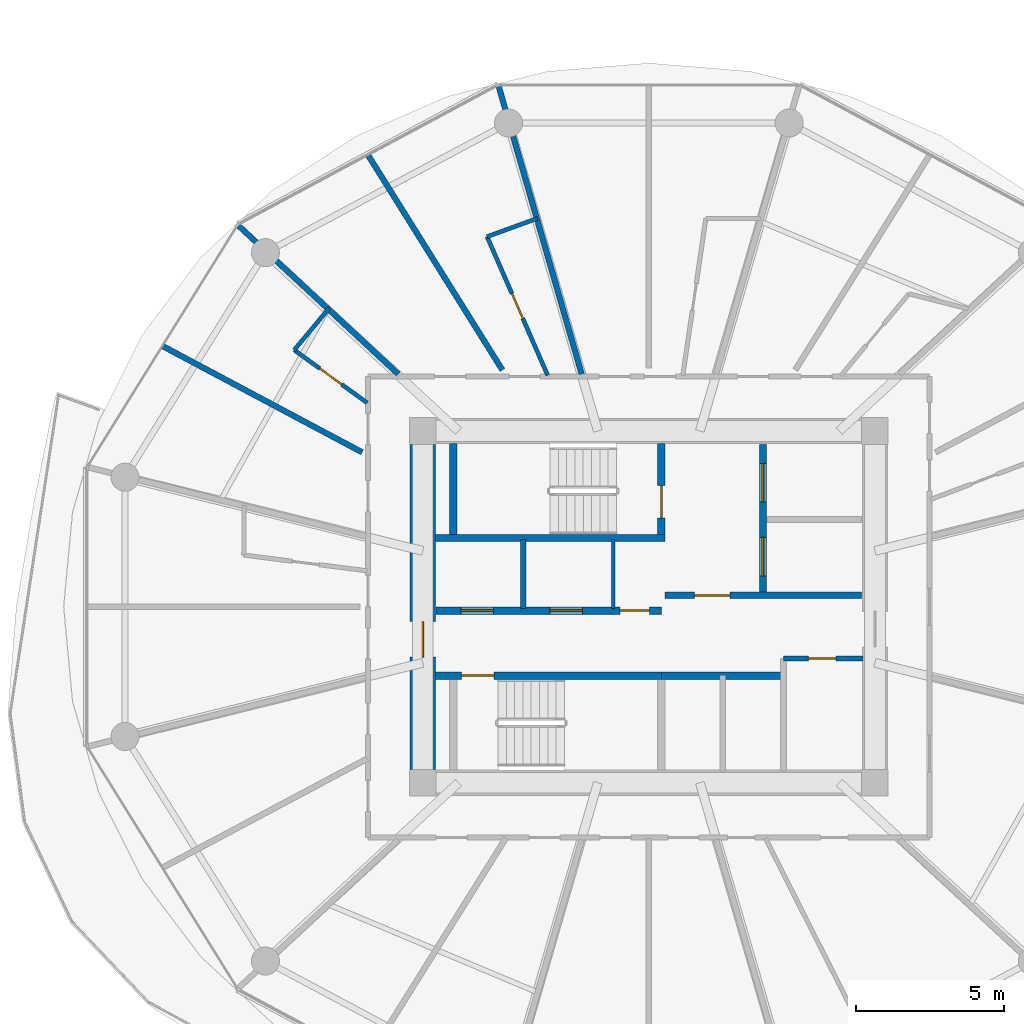
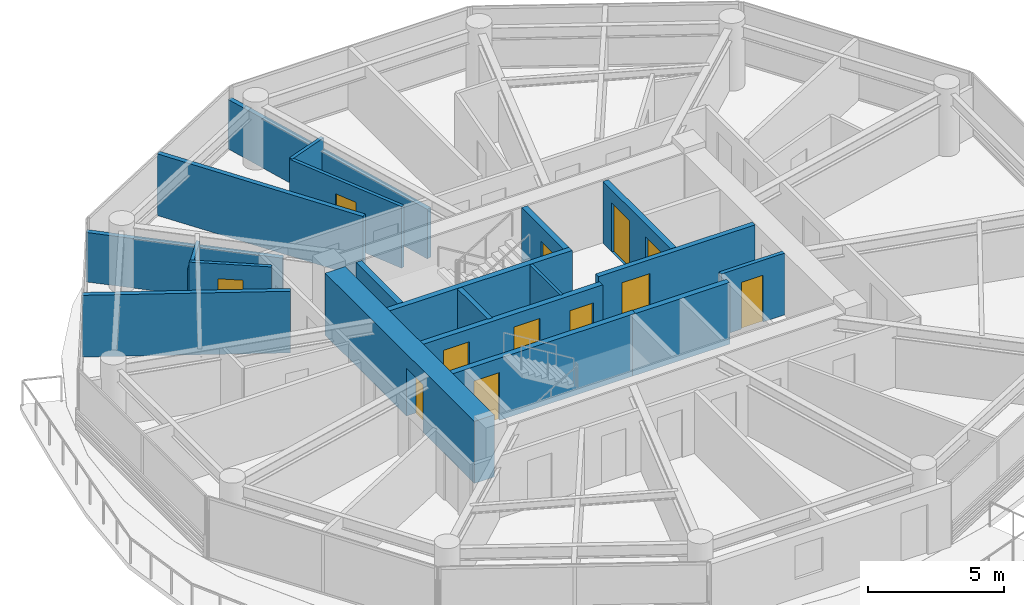
# One storey, part 16 of 27: 20 walls, 12 doors, 12 openings.
"""IFC4 building model written with IfcOpenShell, lengths in metres."""

from ifc_helpers import new_model, si_unit, direction, frame, frame_2d, origin, place, context, subcontext, project, spatial, rectangle, extrude, source, transform, mapped, material, layer, layer_set, type_object, type_shapes, element, fill, save


model = new_model("IFC4")

# Units and contexts
model_context = context("Model", 3, precision=1e-05, world=origin(), true_north=direction((0.0, 1.0)))
body_context = subcontext(model_context, "Body", "Model", "MODEL_VIEW")
ifc_project = project(units=[si_unit("LENGTHUNIT", "METRE"), si_unit("AREAUNIT", "SQUARE_METRE"), si_unit("VOLUMEUNIT", "CUBIC_METRE"), si_unit("PLANEANGLEUNIT", "RADIAN"), si_unit("MASSUNIT", "GRAM", prefix="KILO")], contexts=[model_context])

# Site, building, storey
site_placement = place(None, origin())
site = spatial("IfcSite", under=ifc_project, at=site_placement, CompositionType="ELEMENT")
building_placement = place(site_placement, origin())
building = spatial("IfcBuilding", under=site, at=building_placement, Name="Norrkilde Senior Care Towers", CompositionType="ELEMENT")
storey_placement = place(building_placement, frame((0.0, 0.0, 46.0)))
storey = spatial("IfcBuildingStorey", under=building, at=storey_placement, Name="L13", CompositionType="ELEMENT", Elevation=46.0)

# Wall, opening, door
ifc_material_1 = material(Name="Concrete C60/75", Category="concrete")
ifc_layer_1 = layer(ifc_material_1, 0.85009765625)
ifc_layer_set_1 = layer_set([ifc_layer_1], Name="Concrete C60/75")
wall_type_1 = type_object("IfcWallType", Name="Core Shear Wall Z1 850", PredefinedType="SHEAR", material=ifc_layer_set_1)
shared_shape_1 = source(origin(), body_context, "Body", "SweptSolid", [
    extrude(rectangle(XDim=11.0, YDim=0.85009765625, at=frame_2d((5.5, 0.0))), origin(), (0.0, 0.0, 1.0), 2.7900390625),
])
type_shapes(wall_type_1, [shared_shape_1])
wall_1_placement = place(storey_placement, frame((-35.64990234375, -5.5, 0.0), z_axis=(0.0, 0.0, 1.0), x_axis=(0.0, 1.0, 0.0)))
wall_1 = element("IfcWall", 1, at=wall_1_placement, inside=storey, type_object=wall_type_1, Name="L13 Core W West Shear Wall", PredefinedType="SHEAR", context=body_context, shape_type="MappedRepresentation", body=[
    mapped(shared_shape_1, transform((0.0, 0.0, 0.0), x_axis=(1.0, 0.0, 0.0), y_axis=(0.0, 1.0, 0.0), z_axis=(0.0, 0.0, 1.0), scale=1.0)),
])
opening_1_placement = place(wall_1_placement, frame((3.800048828125, 0.0, 0.0)))
opening_1 = element("IfcOpeningElement", 2, at=opening_1_placement, cuts=wall_1, Name="Opening D-04", PredefinedType="OPENING", context=body_context, shape_type="SweptSolid", body=[
    extrude(rectangle(XDim=1.199951171875, YDim=2.14990234375, at=frame_2d((0.60009765625, 1.074951171875))), frame((0.0, 0.43505859375, 0.0), z_axis=(0.0, -1.0, 0.0), x_axis=(1.0, 0.0, 0.0)), (0.0, 0.0, 1.0), 0.8701171875),
])
ifc_material_2 = material(Name="Galvanised Painted Steel", Category="steel")
door_type_1 = type_object("IfcDoorType", Name="Firefighting Lobby Fire Door 1200x2150", OperationType="NOTDEFINED", PredefinedType="DOOR", material=ifc_material_2)
shared_shape_2 = source(origin(), body_context, "Body", "SweptSolid", [
    extrude(rectangle(XDim=1.199951171875, YDim=2.14990234375, at=frame_2d((0.60009765625, 1.074951171875))), frame((0.0, 0.02490234375, 0.0), z_axis=(0.0, -1.0, 0.0), x_axis=(1.0, 0.0, 0.0)), (0.0, 0.0, 1.0), 0.050048828125),
])
type_shapes(door_type_1, [shared_shape_2])
door_1_placement = place(opening_1_placement, frame((1.199951171875, 0.0, 0.0), z_axis=(0.0, 0.0, 1.0), x_axis=(-1.0, 0.0, 0.0)))
door_1 = element("IfcDoor", 3, at=door_1_placement, inside=storey, type_object=door_type_1, Name="L13 Core W West Portal Door", OperationType="SINGLE_SWING_LEFT", OverallHeight=2.14990234375, OverallWidth=1.199951171875, PredefinedType="DOOR", context=body_context, shape_type="MappedRepresentation", body=[
    mapped(shared_shape_2, transform((0.0, 0.0, 0.0), x_axis=(1.0, 0.0, 0.0), y_axis=(0.0, 1.0, 0.0), z_axis=(0.0, 0.0, 1.0), scale=1.0)),
])
fill(opening_1, door_1)

# Wall, openings, doors
ifc_material_3 = material(Name="Concrete C45/55", Category="concrete")
ifc_layer_2 = layer(ifc_material_3, 0.239990234375)
ifc_layer_set_2 = layer_set([ifc_layer_2], Name="Concrete C45/55")
wall_type_2 = type_object("IfcWallType", Name="Lift and Plant Rated Enclosure Partition 240", PredefinedType="PARTITIONING", material=ifc_layer_set_2)
shared_shape_3 = source(origin(), body_context, "Body", "SweptSolid", [
    extrude(rectangle(XDim=5.0, YDim=0.239990234375, at=frame_2d((2.5, 0.0))), origin(), (0.0, 0.0, 1.0), 2.77490234375),
])
wall_2_placement = place(storey_placement, frame((-24.139892578125, 0.5, 0.0), z_axis=(0.0, 0.0, 1.0), x_axis=(0.0, 1.0, 0.0)))
wall_2 = element("IfcWall", 4, at=wall_2_placement, inside=storey, type_object=wall_type_2, Name="WL-INT-L13-W-FFLE", PredefinedType="PARTITIONING", context=body_context, shape_type="MappedRepresentation", body=[
    mapped(shared_shape_3, transform((0.0, 0.0, 0.0), x_axis=(1.0, 0.0, 0.0), y_axis=(0.0, 1.0, 0.0), z_axis=(0.0, 0.0, 1.0), scale=1.0)),
])
opening_2_placement = place(wall_2_placement, frame((3.050048828125, 0.0, 0.0)))
opening_2 = element("IfcOpeningElement", 5, at=opening_2_placement, cuts=wall_2, Name="Opening LD-02", PredefinedType="OPENING", context=body_context, shape_type="SweptSolid", body=[
    extrude(rectangle(XDim=1.300048828125, YDim=2.199951171875, at=frame_2d((0.64990234375, 1.10009765625))), frame((0.0, 0.1298828125, 0.0), z_axis=(0.0, -1.0, 0.0), x_axis=(1.0, 0.0, 0.0)), (0.0, 0.0, 1.0), 0.260009765625),
])
opening_3_placement = place(wall_2_placement, frame((0.550048828125, 0.0, 0.0)))
opening_3 = element("IfcOpeningElement", 6, at=opening_3_placement, cuts=wall_2, Name="Opening LD-02", PredefinedType="OPENING", context=body_context, shape_type="SweptSolid", body=[
    extrude(rectangle(XDim=1.300048828125, YDim=2.199951171875, at=frame_2d((0.64990234375, 1.10009765625))), frame((0.0, 0.1298828125, 0.0), z_axis=(0.0, -1.0, 0.0), x_axis=(1.0, 0.0, 0.0)), (0.0, 0.0, 1.0), 0.260009765625),
])
ifc_material_4 = material(Name="Stainless Steel", Category="steel")
door_type_2 = type_object("IfcDoorType", Name="Stretcher and FFL Landing Sliding Door 1300x2200", OperationType="NOTDEFINED", PredefinedType="DOOR", material=ifc_material_4)
shared_shape_4 = source(origin(), body_context, "Body", "SweptSolid", [
    extrude(rectangle(XDim=1.300048828125, YDim=2.199951171875, at=frame_2d((0.64990234375, 1.10009765625))), frame((0.0, 0.02490234375, 0.0), z_axis=(0.0, -1.0, 0.0), x_axis=(1.0, 0.0, 0.0)), (0.0, 0.0, 1.0), 0.050048828125),
])
type_shapes(door_type_2, [shared_shape_4])
door_2_placement = place(opening_2_placement, origin())
door_2 = element("IfcDoor", 7, at=door_2_placement, inside=storey, type_object=door_type_2, Name="L13 Firefighting Lift W1 Landing Door", OperationType="SLIDING_TO_LEFT", OverallHeight=2.199951171875, OverallWidth=1.300048828125, PredefinedType="DOOR", context=body_context, shape_type="MappedRepresentation", body=[
    mapped(shared_shape_4, transform((0.0, 0.0, 0.0), x_axis=(1.0, 0.0, 0.0), y_axis=(0.0, 1.0, 0.0), z_axis=(0.0, 0.0, 1.0), scale=1.0)),
])
fill(opening_2, door_2)
door_3_placement = place(opening_3_placement, origin())
door_3 = element("IfcDoor", 8, at=door_3_placement, inside=storey, type_object=door_type_2, Name="L13 Stretcher Lift W1 Landing Door", OperationType="SLIDING_TO_RIGHT", OverallHeight=2.199951171875, OverallWidth=1.300048828125, PredefinedType="DOOR", context=body_context, shape_type="MappedRepresentation", body=[
    mapped(shared_shape_4, transform((0.0, 0.0, 0.0), x_axis=(1.0, 0.0, 0.0), y_axis=(0.0, 1.0, 0.0), z_axis=(0.0, 0.0, 1.0), scale=1.0)),
])
fill(opening_3, door_3)

# Wall, opening, door
ifc_layer_3 = layer(ifc_material_3, 0.2099609375)
ifc_layer_set_3 = layer_set([ifc_layer_3], Name="Concrete C45/55")
wall_type_3 = type_object("IfcWallType", Name="Firefighting Lobby Wall 210", PredefinedType="PARTITIONING", material=ifc_layer_set_3)
shared_shape_5 = source(origin(), body_context, "Body", "SweptSolid", [
    extrude(rectangle(XDim=6.659912109375, YDim=0.2099609375, at=frame_2d((3.330078125, 0.0))), origin(), (0.0, 0.0, 1.0), 2.77490234375),
])
type_shapes(wall_type_3, [shared_shape_5])
wall_3_placement = place(storey_placement, frame((-27.4599609375, 0.389892578125, 0.0), z_axis=(0.0, 0.0, 1.0), x_axis=(1.0, 0.0, 0.0)))
wall_3 = element("IfcWall", 9, at=wall_3_placement, inside=storey, type_object=wall_type_3, Name="WL-INT-L13-W-FFLS", PredefinedType="PARTITIONING", context=body_context, shape_type="MappedRepresentation", body=[
    mapped(shared_shape_5, transform((0.0, 0.0, 0.0), x_axis=(1.0, 0.0, 0.0), y_axis=(0.0, 1.0, 0.0), z_axis=(0.0, 0.0, 1.0), scale=1.0)),
])
opening_4_placement = place(wall_3_placement, frame((1.0, 0.0, 0.0)))
opening_4 = element("IfcOpeningElement", 10, at=opening_4_placement, cuts=wall_3, Name="Opening D-04", PredefinedType="OPENING", context=body_context, shape_type="SweptSolid", body=[
    extrude(rectangle(XDim=1.199951171875, YDim=2.14990234375, at=frame_2d((0.60009765625, 1.074951171875))), frame((0.0, 0.114990234375, 0.0), z_axis=(0.0, -1.0, 0.0), x_axis=(1.0, 0.0, 0.0)), (0.0, 0.0, 1.0), 0.22998046875),
])
door_4_placement = place(opening_4_placement, frame((1.199951171875, 0.0, 0.0), z_axis=(0.0, 0.0, 1.0), x_axis=(-1.0, 0.0, 0.0)))
door_4 = element("IfcDoor", 11, at=door_4_placement, inside=storey, type_object=door_type_1, Name="L13 Firefighting Lobby W Door", OperationType="SINGLE_SWING_LEFT", OverallHeight=2.14990234375, OverallWidth=1.199951171875, PredefinedType="DOOR", context=body_context, shape_type="MappedRepresentation", body=[
    mapped(shared_shape_2, transform((0.0, 0.0, 0.0), x_axis=(1.0, 0.0, 0.0), y_axis=(0.0, 1.0, 0.0), z_axis=(0.0, 0.0, 1.0), scale=1.0)),
])
fill(opening_4, door_4)

# Wall, openings, doors
shared_shape_6 = source(origin(), body_context, "Body", "SweptSolid", [
    extrude(rectangle(XDim=7.619873046875, YDim=0.239990234375, at=frame_2d((3.81005859375, 0.0))), origin(), (0.0, 0.0, 1.0), 2.77490234375),
])
wall_4_placement = place(storey_placement, frame((-35.199951171875, -0.1298828125, 0.0), z_axis=(0.0, 0.0, 1.0), x_axis=(1.0, 0.0, 0.0)))
wall_4 = element("IfcWall", 12, at=wall_4_placement, inside=storey, type_object=wall_type_2, Name="WL-INT-L13-W-PKAS", PredefinedType="PARTITIONING", context=body_context, shape_type="MappedRepresentation", body=[
    mapped(shared_shape_6, transform((0.0, 0.0, 0.0), x_axis=(1.0, 0.0, 0.0), y_axis=(0.0, 1.0, 0.0), z_axis=(0.0, 0.0, 1.0), scale=1.0)),
])
opening_5_placement = place(wall_4_placement, frame((6.219970703125, 0.0, 0.0)))
opening_5 = element("IfcOpeningElement", 13, at=opening_5_placement, cuts=wall_4, Name="Opening D-10", PredefinedType="OPENING", context=body_context, shape_type="SweptSolid", body=[
    extrude(rectangle(XDim=1.0, YDim=2.10009765625, at=frame_2d((0.5, 1.050048828125))), frame((0.0, 0.1298828125, 0.0), z_axis=(0.0, -1.0, 0.0), x_axis=(1.0, 0.0, 0.0)), (0.0, 0.0, 1.0), 0.260009765625),
])
opening_6_placement = place(wall_4_placement, frame((0.85009765625, 0.0, 0.0)))
opening_6 = element("IfcOpeningElement", 14, at=opening_6_placement, cuts=wall_4, Name="Opening LD-01", PredefinedType="OPENING", context=body_context, shape_type="SweptSolid", body=[
    extrude(rectangle(XDim=1.10009765625, YDim=2.199951171875, at=frame_2d((0.550048828125, 1.10009765625))), frame((0.0, 0.1298828125, 0.0), z_axis=(0.0, -1.0, 0.0), x_axis=(1.0, 0.0, 0.0)), (0.0, 0.0, 1.0), 0.260009765625),
])
opening_7_placement = place(wall_4_placement, frame((3.85009765625, 0.0, 0.0)))
opening_7 = element("IfcOpeningElement", 15, at=opening_7_placement, cuts=wall_4, Name="Opening LD-01", PredefinedType="OPENING", context=body_context, shape_type="SweptSolid", body=[
    extrude(rectangle(XDim=1.10009765625, YDim=2.199951171875, at=frame_2d((0.550048828125, 1.10009765625))), frame((0.0, 0.1298828125, 0.0), z_axis=(0.0, -1.0, 0.0), x_axis=(1.0, 0.0, 0.0)), (0.0, 0.0, 1.0), 0.260009765625),
])
door_type_3 = type_object("IfcDoorType", Name="Plant and Riser Rated Door 1000x2100", OperationType="NOTDEFINED", PredefinedType="DOOR", material=ifc_material_2)
shared_shape_7 = source(origin(), body_context, "Body", "SweptSolid", [
    extrude(rectangle(XDim=1.0, YDim=2.10009765625, at=frame_2d((0.5, 1.050048828125))), frame((0.0, 0.02490234375, 0.0), z_axis=(0.0, -1.0, 0.0), x_axis=(1.0, 0.0, 0.0)), (0.0, 0.0, 1.0), 0.050048828125),
])
type_shapes(door_type_3, [shared_shape_7])
door_5_placement = place(opening_5_placement, frame((1.0, 0.0, 0.0), z_axis=(0.0, 0.0, 1.0), x_axis=(-1.0, 0.0, 0.0)))
door_5 = element("IfcDoor", 16, at=door_5_placement, inside=storey, type_object=door_type_3, Name="L13 Electrical Riser W Door", OperationType="SINGLE_SWING_LEFT", OverallHeight=2.10009765625, OverallWidth=1.0, PredefinedType="DOOR", context=body_context, shape_type="MappedRepresentation", body=[
    mapped(shared_shape_7, transform((0.0, 0.0, 0.0), x_axis=(1.0, 0.0, 0.0), y_axis=(0.0, 1.0, 0.0), z_axis=(0.0, 0.0, 1.0), scale=1.0)),
])
fill(opening_5, door_5)
door_type_4 = type_object("IfcDoorType", Name="Lift Landing Sliding Door 1100x2200", OperationType="NOTDEFINED", PredefinedType="DOOR", material=ifc_material_4)
shared_shape_8 = source(origin(), body_context, "Body", "SweptSolid", [
    extrude(rectangle(XDim=1.10009765625, YDim=2.199951171875, at=frame_2d((0.550048828125, 1.10009765625))), frame((0.0, 0.02490234375, 0.0), z_axis=(0.0, -1.0, 0.0), x_axis=(1.0, 0.0, 0.0)), (0.0, 0.0, 1.0), 0.050048828125),
])
type_shapes(door_type_4, [shared_shape_8])
door_6_placement = place(opening_6_placement, origin())
door_6 = element("IfcDoor", 17, at=door_6_placement, inside=storey, type_object=door_type_4, Name="L13 Passenger Lift W1 Landing Door", OperationType="SLIDING_TO_LEFT", OverallHeight=2.199951171875, OverallWidth=1.10009765625, PredefinedType="DOOR", context=body_context, shape_type="MappedRepresentation", body=[
    mapped(shared_shape_8, transform((0.0, 0.0, 0.0), x_axis=(1.0, 0.0, 0.0), y_axis=(0.0, 1.0, 0.0), z_axis=(0.0, 0.0, 1.0), scale=1.0)),
])
fill(opening_6, door_6)
door_7_placement = place(opening_7_placement, origin())
door_7 = element("IfcDoor", 18, at=door_7_placement, inside=storey, type_object=door_type_4, Name="L13 Passenger Lift W2 Landing Door", OperationType="SLIDING_TO_RIGHT", OverallHeight=2.199951171875, OverallWidth=1.10009765625, PredefinedType="DOOR", context=body_context, shape_type="MappedRepresentation", body=[
    mapped(shared_shape_8, transform((0.0, 0.0, 0.0), x_axis=(1.0, 0.0, 0.0), y_axis=(0.0, 1.0, 0.0), z_axis=(0.0, 0.0, 1.0), scale=1.0)),
])
fill(opening_7, door_7)

# Walls
ifc_material_5 = material(Name="Gypsum Acoustic Board")
ifc_layer_4 = layer(ifc_material_5, 0.114990234375)
ifc_layer_set_4 = layer_set([ifc_layer_4], Name="Gypsum Acoustic Board")
wall_type_4 = type_object("IfcWallType", Name="Internal Room Partition 115", PredefinedType="PARTITIONING", material=ifc_layer_set_4)
shared_shape_9 = source(origin(), body_context, "Body", "SweptSolid", [
    extrude(rectangle(XDim=2.330078125, YDim=0.114990234375, at=frame_2d((1.1650390625, 0.0))), origin(), (0.0, 0.0, 1.0), 2.77490234375),
])
type_shapes(wall_type_4, [shared_shape_9])
wall_5_placement = place(storey_placement, frame((-29.2099609375, -0.050048828125, 0.0), z_axis=(0.0, 0.0, 1.0), x_axis=(0.0, 1.0, 0.0)))
element("IfcWall", 19, at=wall_5_placement, inside=storey, type_object=wall_type_4, Name="WL-INT-L13-W-RISW", PredefinedType="PARTITIONING", context=body_context, shape_type="MappedRepresentation", body=[
    mapped(shared_shape_9, transform((0.0, 0.0, 0.0), x_axis=(1.0, 0.0, 0.0), y_axis=(0.0, 1.0, 0.0), z_axis=(0.0, 0.0, 1.0), scale=1.0)),
])
ifc_layer_5 = layer(ifc_material_3, 0.199951171875)
ifc_layer_set_5 = layer_set([ifc_layer_5], Name="Concrete C45/55")
wall_type_5 = type_object("IfcWallType", Name="Shaft Division and Plant Partition 200", PredefinedType="PARTITIONING", material=ifc_layer_set_5)
shared_shape_10 = source(origin(), body_context, "Body", "SweptSolid", [
    extrude(rectangle(XDim=2.330078125, YDim=0.199951171875, at=frame_2d((1.1650390625, 0.0))), origin(), (0.0, 0.0, 1.0), 2.77490234375),
])
type_shapes(wall_type_5, [shared_shape_10])
wall_6_placement = place(storey_placement, frame((-32.25, -0.050048828125, 0.0), z_axis=(0.0, 0.0, 1.0), x_axis=(0.0, 1.0, 0.0)))
element("IfcWall", 20, at=wall_6_placement, inside=storey, type_object=wall_type_5, Name="WL-INT-L13-W-PL12", PredefinedType="PARTITIONING", context=body_context, shape_type="MappedRepresentation", body=[
    mapped(shared_shape_10, transform((0.0, 0.0, 0.0), x_axis=(1.0, 0.0, 0.0), y_axis=(0.0, 1.0, 0.0), z_axis=(0.0, 0.0, 1.0), scale=1.0)),
])
shared_shape_11 = source(origin(), body_context, "Body", "SweptSolid", [
    extrude(rectangle(XDim=4.130126953125, YDim=0.239990234375, at=frame_2d((2.06494140625, 0.0))), origin(), (0.0, 0.0, 1.0), 2.77490234375),
])
type_shapes(wall_type_2, [shared_shape_3, shared_shape_6, shared_shape_11])
wall_7_placement = place(storey_placement, frame((-27.580078125, -2.330078125, 0.0), z_axis=(0.0, 0.0, 1.0), x_axis=(1.0, 0.0, 0.0)))
element("IfcWall", 21, at=wall_7_placement, inside=storey, type_object=wall_type_2, Name="WL-INT-L13-W-PKBN", PredefinedType="PARTITIONING", context=body_context, shape_type="MappedRepresentation", body=[
    mapped(shared_shape_11, transform((0.0, 0.0, 0.0), x_axis=(1.0, 0.0, 0.0), y_axis=(0.0, 1.0, 0.0), z_axis=(0.0, 0.0, 1.0), scale=1.0)),
])

# Wall, opening, door
ifc_layer_6 = layer(ifc_material_5, 0.1650390625)
ifc_layer_set_6 = layer_set([ifc_layer_6], Name="Gypsum Acoustic Board")
wall_type_6 = type_object("IfcWallType", Name="Corridor Rated Partition 165", PredefinedType="PARTITIONING", material=ifc_layer_set_6)
shared_shape_12 = source(origin(), body_context, "Body", "SweptSolid", [
    extrude(rectangle(XDim=2.699951171875, YDim=0.1650390625, at=frame_2d((1.35009765625, 0.0))), origin(), (0.0, 0.0, 1.0), 2.77490234375),
])
type_shapes(wall_type_6, [shared_shape_12])
wall_8_placement = place(storey_placement, frame((-23.449951171875, -1.75, 0.0), z_axis=(0.0, 0.0, 1.0), x_axis=(1.0, 0.0, 0.0)))
wall_8 = element("IfcWall", 22, at=wall_8_placement, inside=storey, type_object=wall_type_6, Name="WL-INT-L13-W-CSN", PredefinedType="PARTITIONING", context=body_context, shape_type="MappedRepresentation", body=[
    mapped(shared_shape_12, transform((0.0, 0.0, 0.0), x_axis=(1.0, 0.0, 0.0), y_axis=(0.0, 1.0, 0.0), z_axis=(0.0, 0.0, 1.0), scale=1.0)),
])
opening_8_placement = place(wall_8_placement, frame((0.85009765625, 0.0, 0.0)))
opening_8 = element("IfcOpeningElement", 23, at=opening_8_placement, cuts=wall_8, Name="Opening D-12", PredefinedType="OPENING", context=body_context, shape_type="SweptSolid", body=[
    extrude(rectangle(XDim=0.925048828125, YDim=2.10009765625, at=frame_2d((0.46240234375, 1.050048828125))), frame((0.0, 0.092529296875, 0.0), z_axis=(0.0, -1.0, 0.0), x_axis=(1.0, 0.0, 0.0)), (0.0, 0.0, 1.0), 0.18505859375),
])
door_type_5 = type_object("IfcDoorType", Name="Core Wet Room Rated Door 925x2100", OperationType="NOTDEFINED", PredefinedType="DOOR", material=ifc_material_2)
shared_shape_13 = source(origin(), body_context, "Body", "SweptSolid", [
    extrude(rectangle(XDim=0.925048828125, YDim=2.10009765625, at=frame_2d((0.46240234375, 1.050048828125))), frame((0.0, 0.02490234375, 0.0), z_axis=(0.0, -1.0, 0.0), x_axis=(1.0, 0.0, 0.0)), (0.0, 0.0, 1.0), 0.050048828125),
])
type_shapes(door_type_5, [shared_shape_13])
door_8_placement = place(opening_8_placement, origin())
door_8 = element("IfcDoor", 24, at=door_8_placement, inside=storey, type_object=door_type_5, Name="L13 Core Utility W Door", OperationType="SINGLE_SWING_LEFT", OverallHeight=2.10009765625, OverallWidth=0.925048828125, PredefinedType="DOOR", context=body_context, shape_type="MappedRepresentation", body=[
    mapped(shared_shape_13, transform((0.0, 0.0, 0.0), x_axis=(1.0, 0.0, 0.0), y_axis=(0.0, 1.0, 0.0), z_axis=(0.0, 0.0, 1.0), scale=1.0)),
])
fill(opening_8, door_8)

# Walls
ifc_layer_7 = layer(ifc_material_5, 0.18994140625)
ifc_layer_set_7 = layer_set([ifc_layer_7], Name="Gypsum Acoustic Board")
wall_type_7 = type_object("IfcWallType", Name="Unit Demising Acoustic Wall 190", PredefinedType="PARTITIONING", material=ifc_layer_set_7)
shared_shape_14 = source(origin(), body_context, "Body", "SweptSolid", [
    extrude(rectangle(XDim=8.59814453125, YDim=0.18994140625, at=frame_2d((4.299072265625, 0.0))), origin(), (0.0, 0.0, 1.0), 2.77490234375),
])
wall_9_placement = place(storey_placement, frame((-32.95703125, 8.017333984375, 0.0), z_axis=(0.0, 0.0, 1.0), x_axis=(-0.530039776395, 0.847972779893, 0.0)))
element("IfcWall", 25, at=wall_9_placement, inside=storey, type_object=wall_type_7, Name="WL-INT-L13-W-CMID-03", PredefinedType="PARTITIONING", context=body_context, shape_type="MappedRepresentation", body=[
    mapped(shared_shape_14, transform((0.0, 0.0, 0.0), x_axis=(1.0, 0.0, 0.0), y_axis=(0.0, 1.0, 0.0), z_axis=(0.0, 0.0, 1.0), scale=1.0)),
])
shared_shape_15 = source(origin(), body_context, "Body", "SweptSolid", [
    extrude(rectangle(XDim=7.6767578125, YDim=0.18994140625, at=frame_2d((3.83837890625, 0.0))), origin(), (0.0, 0.0, 1.0), 2.77490234375),
])
wall_10_placement = place(storey_placement, frame((-37.703125, 5.23095703125, 0.0), z_axis=(0.0, 0.0, 1.0), x_axis=(-0.882725057546, 0.469889851753, 0.0)))
element("IfcWall", 26, at=wall_10_placement, inside=storey, type_object=wall_type_7, Name="WL-INT-L13-W-CMID-04", PredefinedType="PARTITIONING", context=body_context, shape_type="MappedRepresentation", body=[
    mapped(shared_shape_15, transform((0.0, 0.0, 0.0), x_axis=(1.0, 0.0, 0.0), y_axis=(0.0, 1.0, 0.0), z_axis=(0.0, 0.0, 1.0), scale=1.0)),
])
ifc_layer_8 = layer(ifc_material_3, 0.239990234375)
ifc_layer_set_8 = layer_set([ifc_layer_8], Name="Concrete C45/55")
wall_type_8 = type_object("IfcWallType", Name="Shaft and Stair Enclosure Wall 240", PredefinedType="PARTITIONING", material=ifc_layer_set_8)
shared_shape_16 = source(origin(), body_context, "Body", "SweptSolid", [
    extrude(rectangle(XDim=7.76513671875, YDim=0.239990234375, at=frame_2d((3.882568359375, 0.0))), origin(), (0.0, 0.0, 1.0), 2.7900390625),
])
wall_11_placement = place(storey_placement, frame((-35.22509765625, 2.330078125, 0.0), z_axis=(0.0, 0.0, 1.0), x_axis=(1.0, 0.0, 0.0)))
element("IfcWall", 27, at=wall_11_placement, inside=storey, type_object=wall_type_8, Name="WL-INT-L13-W-ST1S", PredefinedType="PARTITIONING", context=body_context, shape_type="MappedRepresentation", body=[
    mapped(shared_shape_16, transform((0.0, 0.0, 0.0), x_axis=(1.0, 0.0, 0.0), y_axis=(0.0, 1.0, 0.0), z_axis=(0.0, 0.0, 1.0), scale=1.0)),
])

# Wall, opening, door
wall_12_placement = place(storey_placement, frame((-35.22509765625, -2.330078125, 0.0), z_axis=(0.0, 0.0, 1.0), x_axis=(1.0, 0.0, 0.0)))
wall_12 = element("IfcWall", 28, at=wall_12_placement, inside=storey, type_object=wall_type_8, Name="WL-INT-L13-W-ST2N", PredefinedType="PARTITIONING", context=body_context, shape_type="MappedRepresentation", body=[
    mapped(shared_shape_16, transform((0.0, 0.0, 0.0), x_axis=(1.0, 0.0, 0.0), y_axis=(0.0, 1.0, 0.0), z_axis=(0.0, 0.0, 1.0), scale=1.0)),
])
opening_9_placement = place(wall_12_placement, frame((0.885009765625, 0.0, 0.0)))
opening_9 = element("IfcOpeningElement", 29, at=opening_9_placement, cuts=wall_12, Name="Opening D-03", PredefinedType="OPENING", context=body_context, shape_type="SweptSolid", body=[
    extrude(rectangle(XDim=1.10009765625, YDim=2.14990234375, at=frame_2d((0.550048828125, 1.074951171875))), frame((0.0, 0.1298828125, 0.0), z_axis=(0.0, -1.0, 0.0), x_axis=(1.0, 0.0, 0.0)), (0.0, 0.0, 1.0), 0.260009765625),
])
door_type_6 = type_object("IfcDoorType", Name="Stairwell Protected Fire Door 1100x2150", OperationType="NOTDEFINED", PredefinedType="DOOR", material=ifc_material_2)
shared_shape_17 = source(origin(), body_context, "Body", "SweptSolid", [
    extrude(rectangle(XDim=1.10009765625, YDim=2.14990234375, at=frame_2d((0.550048828125, 1.074951171875))), frame((0.0, 0.02490234375, 0.0), z_axis=(0.0, -1.0, 0.0), x_axis=(1.0, 0.0, 0.0)), (0.0, 0.0, 1.0), 0.050048828125),
])
type_shapes(door_type_6, [shared_shape_17])
door_9_placement = place(opening_9_placement, frame((1.10009765625, 0.0, 0.0), z_axis=(0.0, 0.0, 1.0), x_axis=(-1.0, 0.0, 0.0)))
door_9 = element("IfcDoor", 30, at=door_9_placement, inside=storey, type_object=door_type_6, Name="L13 Stair W2 Fire Door", OperationType="SINGLE_SWING_RIGHT", OverallHeight=2.14990234375, OverallWidth=1.10009765625, PredefinedType="DOOR", context=body_context, shape_type="MappedRepresentation", body=[
    mapped(shared_shape_17, transform((0.0, 0.0, 0.0), x_axis=(1.0, 0.0, 0.0), y_axis=(0.0, 1.0, 0.0), z_axis=(0.0, 0.0, 1.0), scale=1.0)),
])
fill(opening_9, door_9)

# Wall
shared_shape_18 = source(origin(), body_context, "Body", "SweptSolid", [
    extrude(rectangle(XDim=3.074951171875, YDim=0.239990234375, at=frame_2d((1.53759765625, 0.0))), origin(), (0.0, 0.0, 1.0), 2.7900390625),
])
type_shapes(wall_type_8, [shared_shape_16, shared_shape_18])
wall_13_placement = place(storey_placement, frame((-34.6201171875, 2.449951171875, 0.0), z_axis=(0.0, 0.0, 1.0), x_axis=(0.0, 1.0, 0.0)))
element("IfcWall", 31, at=wall_13_placement, inside=storey, type_object=wall_type_8, Name="WL-INT-L13-W-ST1W", PredefinedType="PARTITIONING", context=body_context, shape_type="MappedRepresentation", body=[
    mapped(shared_shape_18, transform((0.0, 0.0, 0.0), x_axis=(1.0, 0.0, 0.0), y_axis=(0.0, 1.0, 0.0), z_axis=(0.0, 0.0, 1.0), scale=1.0)),
])

# Wall, opening, door
wall_14_placement = place(storey_placement, frame((-27.580078125, 2.449951171875, 0.0), z_axis=(0.0, 0.0, 1.0), x_axis=(0.0, 1.0, 0.0)))
wall_14 = element("IfcWall", 32, at=wall_14_placement, inside=storey, type_object=wall_type_8, Name="WL-INT-L13-W-ST1E", PredefinedType="PARTITIONING", context=body_context, shape_type="MappedRepresentation", body=[
    mapped(shared_shape_18, transform((0.0, 0.0, 0.0), x_axis=(1.0, 0.0, 0.0), y_axis=(0.0, 1.0, 0.0), z_axis=(0.0, 0.0, 1.0), scale=1.0)),
])
opening_10_placement = place(wall_14_placement, frame((0.550048828125, 0.0, 0.0)))
opening_10 = element("IfcOpeningElement", 33, at=opening_10_placement, cuts=wall_14, Name="Opening D-03", PredefinedType="OPENING", context=body_context, shape_type="SweptSolid", body=[
    extrude(rectangle(XDim=1.10009765625, YDim=2.14990234375, at=frame_2d((0.550048828125, 1.074951171875))), frame((0.0, 0.1298828125, 0.0), z_axis=(0.0, -1.0, 0.0), x_axis=(1.0, 0.0, 0.0)), (0.0, 0.0, 1.0), 0.260009765625),
])
door_10_placement = place(opening_10_placement, origin())
door_10 = element("IfcDoor", 34, at=door_10_placement, inside=storey, type_object=door_type_6, Name="L13 Stair W1 Fire Door", OperationType="SINGLE_SWING_LEFT", OverallHeight=2.14990234375, OverallWidth=1.10009765625, PredefinedType="DOOR", context=body_context, shape_type="MappedRepresentation", body=[
    mapped(shared_shape_17, transform((0.0, 0.0, 0.0), x_axis=(1.0, 0.0, 0.0), y_axis=(0.0, 1.0, 0.0), z_axis=(0.0, 0.0, 1.0), scale=1.0)),
])
fill(opening_10, door_10)

# Walls
shared_shape_19 = source(origin(), body_context, "Body", "SweptSolid", [
    extrude(rectangle(XDim=7.4345703125, YDim=0.18994140625, at=frame_2d((3.71728515625, 0.0))), origin(), (0.0, 0.0, 1.0), 2.22509765625),
])
wall_15_placement = place(storey_placement, frame((-36.48291015625, 7.8798828125, 0.0), z_axis=(0.0, 0.0, 1.0), x_axis=(-0.732651956848, 0.680603489652, 0.0)))
element("IfcWall", 35, at=wall_15_placement, inside=storey, type_object=wall_type_7, Name="WL-INT-L13-W-DEM-04-0", PredefinedType="PARTITIONING", context=body_context, shape_type="MappedRepresentation", body=[
    mapped(shared_shape_19, transform((0.0, 0.0, 0.0), x_axis=(1.0, 0.0, 0.0), y_axis=(0.0, 1.0, 0.0), z_axis=(0.0, 0.0, 1.0), scale=1.0)),
])
shared_shape_20 = source(origin(), body_context, "Body", "SweptSolid", [
    extrude(rectangle(XDim=10.196044921875, YDim=0.18994140625, at=frame_2d((5.09814453125, 0.0))), origin(), (0.0, 0.0, 1.0), 2.22509765625),
])
type_shapes(wall_type_7, [shared_shape_14, shared_shape_15, shared_shape_19, shared_shape_20])
wall_16_placement = place(storey_placement, frame((-30.27294921875, 7.8798828125, 0.0), z_axis=(0.0, 0.0, 1.0), x_axis=(-0.277136420347, 0.960830580549, 0.0)))
element("IfcWall", 36, at=wall_16_placement, inside=storey, type_object=wall_type_7, Name="WL-INT-L13-W-DEM-03-0", PredefinedType="PARTITIONING", context=body_context, shape_type="MappedRepresentation", body=[
    mapped(shared_shape_20, transform((0.0, 0.0, 0.0), x_axis=(1.0, 0.0, 0.0), y_axis=(0.0, 1.0, 0.0), z_axis=(0.0, 0.0, 1.0), scale=1.0)),
])

# Wall, opening, door
ifc_layer_9 = layer(ifc_material_5, 0.139892578125)
ifc_layer_set_9 = layer_set([ifc_layer_9], Name="Gypsum Acoustic Board")
wall_type_9 = type_object("IfcWallType", Name="En-suite Wet Room Wall 140", PredefinedType="PARTITIONING", material=ifc_layer_set_9)
shared_shape_21 = source(origin(), body_context, "Body", "SweptSolid", [
    extrude(rectangle(XDim=5.125732421875, YDim=0.139892578125, at=frame_2d((2.56298828125, 0.0))), origin(), (0.0, 0.0, 1.0), 2.77490234375),
])
wall_17_placement = place(storey_placement, frame((-31.421875, 7.830078125, 0.0), z_axis=(0.0, 0.0, 1.0), x_axis=(-0.400473994842, 0.916308124735, 0.0)))
wall_17 = element("IfcWall", 37, at=wall_17_placement, inside=storey, type_object=wall_type_9, Name="WL-INT-L13-W-ES-03A", PredefinedType="PARTITIONING", context=body_context, shape_type="MappedRepresentation", body=[
    mapped(shared_shape_21, transform((0.0, 0.0, 0.0), x_axis=(1.0, 0.0, 0.0), y_axis=(0.0, 1.0, 0.0), z_axis=(0.0, 0.0, 1.0), scale=1.0)),
])
opening_11_placement = place(wall_17_placement, frame((2.102783203125, 0.0, 0.0)))
opening_11 = element("IfcOpeningElement", 38, at=opening_11_placement, cuts=wall_17, Name="Opening D-08", PredefinedType="OPENING", context=body_context, shape_type="SweptSolid", body=[
    extrude(rectangle(XDim=0.919921875, YDim=2.10009765625, at=frame_2d((0.4599609375, 1.050048828125))), frame((0.0, 0.079833984375, 0.0), z_axis=(0.0, -1.0, 0.0), x_axis=(1.0, 0.0, 0.0)), (0.0, 0.0, 1.0), 0.159912109375),
])
ifc_material_6 = material(Name="Nordic Ash Timber", Category="wood")
door_type_7 = type_object("IfcDoorType", Name="Accessible Wet Room Door 920x2100", OperationType="NOTDEFINED", PredefinedType="DOOR", material=ifc_material_6)
shared_shape_22 = source(origin(), body_context, "Body", "SweptSolid", [
    extrude(rectangle(XDim=0.919921875, YDim=2.10009765625, at=frame_2d((0.4599609375, 1.050048828125))), frame((0.0, 0.02490234375, 0.0), z_axis=(0.0, -1.0, 0.0), x_axis=(1.0, 0.0, 0.0)), (0.0, 0.0, 1.0), 0.050048828125),
])
type_shapes(door_type_7, [shared_shape_22])
door_11_placement = place(opening_11_placement, origin())
door_11 = element("IfcDoor", 39, at=door_11_placement, inside=storey, type_object=door_type_7, Name="L13 Care Suite 1303A Bathroom Door", OperationType="SINGLE_SWING_RIGHT", OverallHeight=2.10009765625, OverallWidth=0.919921875, PredefinedType="DOOR", context=body_context, shape_type="MappedRepresentation", body=[
    mapped(shared_shape_22, transform((0.0, 0.0, 0.0), x_axis=(1.0, 0.0, 0.0), y_axis=(0.0, 1.0, 0.0), z_axis=(0.0, 0.0, 1.0), scale=1.0)),
])
fill(opening_11, door_11)

# Walls
shared_shape_23 = source(origin(), body_context, "Body", "SweptSolid", [
    extrude(rectangle(XDim=1.811279296875, YDim=0.139892578125, at=frame_2d((0.90576171875, 0.0))), origin(), (0.0, 0.0, 1.0), 2.77490234375),
])
wall_18_placement = place(storey_placement, frame((-33.474609375, 12.52685546875, 0.0), z_axis=(0.0, 0.0, 1.0), x_axis=(0.940009682452, 0.341147764021, 0.0)))
element("IfcWall", 40, at=wall_18_placement, inside=storey, type_object=wall_type_9, Name="WL-INT-L13-W-EF-03A", PredefinedType="PARTITIONING", context=body_context, shape_type="MappedRepresentation", body=[
    mapped(shared_shape_23, transform((0.0, 0.0, 0.0), x_axis=(1.0, 0.0, 0.0), y_axis=(0.0, 1.0, 0.0), z_axis=(0.0, 0.0, 1.0), scale=1.0)),
])
shared_shape_24 = source(origin(), body_context, "Body", "SweptSolid", [
    extrude(rectangle(XDim=1.840087890625, YDim=0.139892578125, at=frame_2d((0.919921875, 0.0))), origin(), (0.0, 0.0, 1.0), 2.4150390625),
])
wall_19_placement = place(storey_placement, frame((-40.00048828125, 8.692138671875, 0.0), z_axis=(0.0, 0.0, 1.0), x_axis=(0.641410397049, 0.767197955262, 0.0)))
element("IfcWall", 41, at=wall_19_placement, inside=storey, type_object=wall_type_9, Name="WL-INT-L13-W-EF-04A", PredefinedType="PARTITIONING", context=body_context, shape_type="MappedRepresentation", body=[
    mapped(shared_shape_24, transform((0.0, 0.0, 0.0), x_axis=(1.0, 0.0, 0.0), y_axis=(0.0, 1.0, 0.0), z_axis=(0.0, 0.0, 1.0), scale=1.0)),
])

# Wall, opening, door
shared_shape_25 = source(origin(), body_context, "Body", "SweptSolid", [
    extrude(rectangle(XDim=3.050537109375, YDim=0.139892578125, at=frame_2d((1.525390625, 0.0))), origin(), (0.0, 0.0, 1.0), 2.77490234375),
])
type_shapes(wall_type_9, [shared_shape_21, shared_shape_23, shared_shape_24, shared_shape_25])
wall_20_placement = place(storey_placement, frame((-37.530029296875, 6.902587890625, 0.0), z_axis=(0.0, 0.0, 1.0), x_axis=(-0.809849031404, 0.586638343729, 0.0)))
wall_20 = element("IfcWall", 42, at=wall_20_placement, inside=storey, type_object=wall_type_9, Name="WL-INT-L13-W-ES-04A", PredefinedType="PARTITIONING", context=body_context, shape_type="MappedRepresentation", body=[
    mapped(shared_shape_25, transform((0.0, 0.0, 0.0), x_axis=(1.0, 0.0, 0.0), y_axis=(0.0, 1.0, 0.0), z_axis=(0.0, 0.0, 1.0), scale=1.0)),
])
opening_12_placement = place(wall_20_placement, frame((1.065185546875, 0.0, 0.0)))
opening_12 = element("IfcOpeningElement", 43, at=opening_12_placement, cuts=wall_20, Name="Opening D-08", PredefinedType="OPENING", context=body_context, shape_type="SweptSolid", body=[
    extrude(rectangle(XDim=0.919921875, YDim=2.10009765625, at=frame_2d((0.4599609375, 1.050048828125))), frame((0.0, 0.079833984375, 0.0), z_axis=(0.0, -1.0, 0.0), x_axis=(1.0, 0.0, 0.0)), (0.0, 0.0, 1.0), 0.159912109375),
])
door_12_placement = place(opening_12_placement, origin())
door_12 = element("IfcDoor", 44, at=door_12_placement, inside=storey, type_object=door_type_7, Name="L13 Care Suite 1304A Bathroom Door", OperationType="SINGLE_SWING_LEFT", OverallHeight=2.10009765625, OverallWidth=0.919921875, PredefinedType="DOOR", context=body_context, shape_type="MappedRepresentation", body=[
    mapped(shared_shape_22, transform((0.0, 0.0, 0.0), x_axis=(1.0, 0.0, 0.0), y_axis=(0.0, 1.0, 0.0), z_axis=(0.0, 0.0, 1.0), scale=1.0)),
])
fill(opening_12, door_12)

save(model, "model.ifc")
